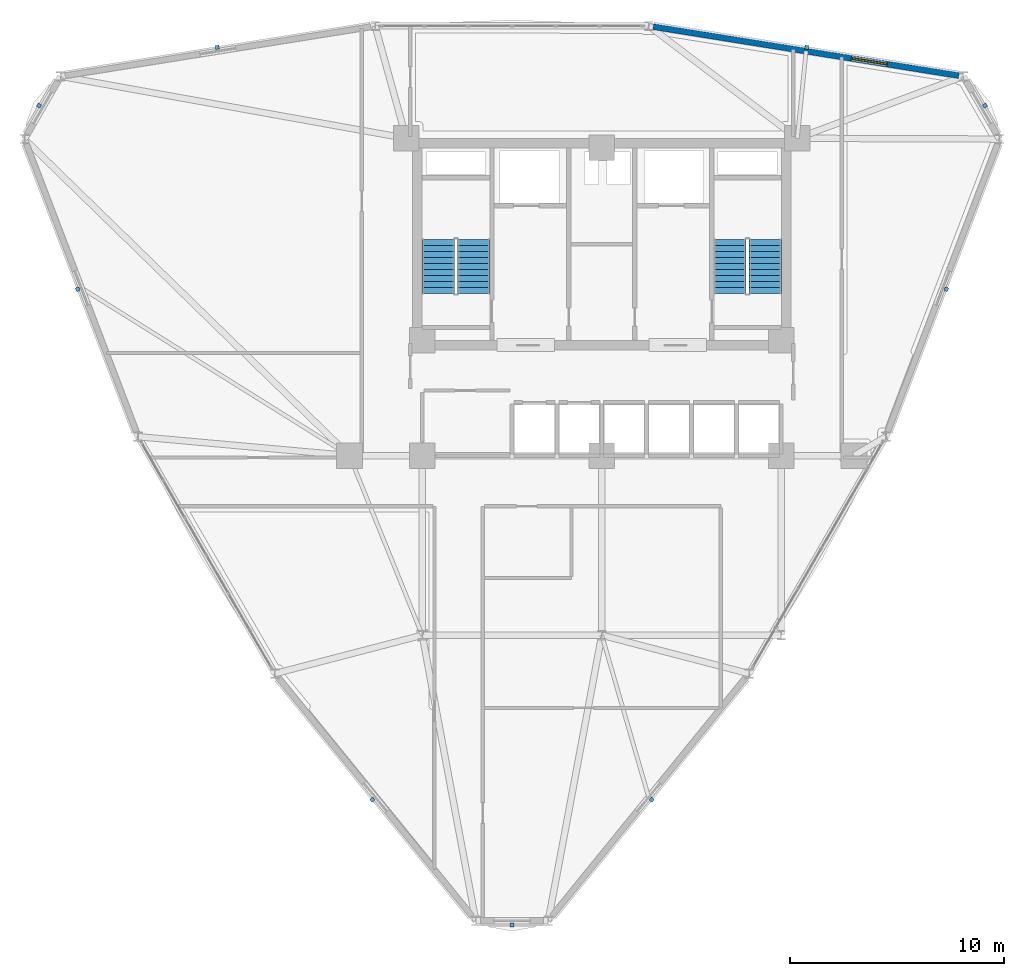
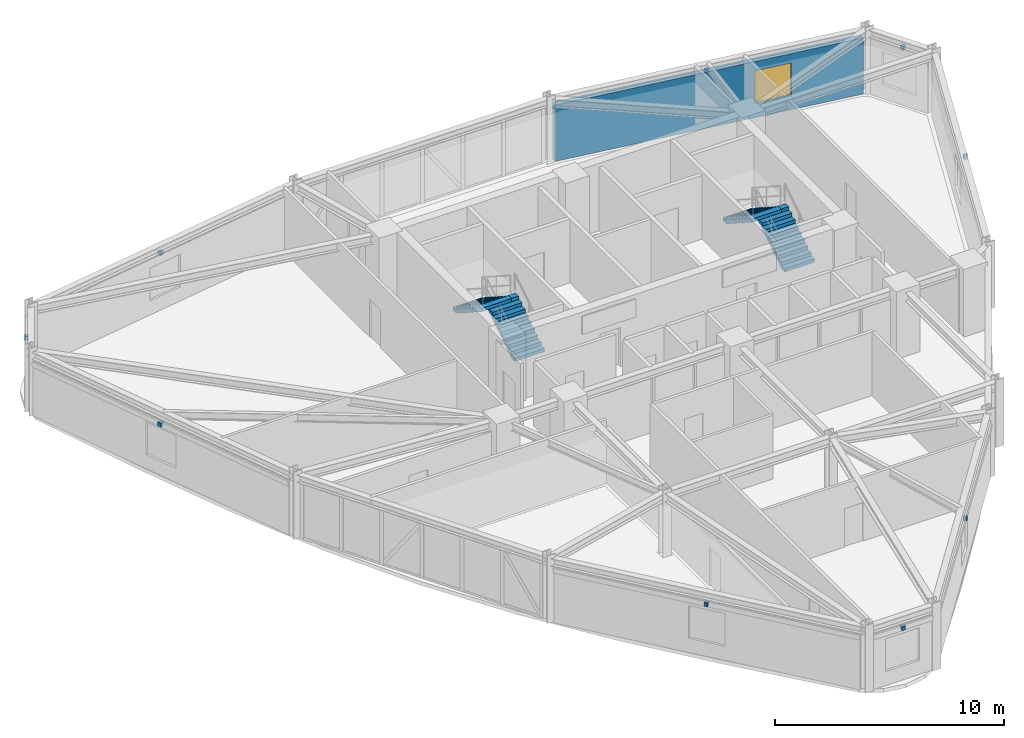
# One storey, part 12 of 15: 9 discrete accessories, 4 stair flights, 1 wall, 1 window, 1 opening, 2 elements without a shape of their own.
"""IFC4 building model written with IfcOpenShell, lengths in metres."""

import ifcopenshell
import ifcopenshell.guid

model = None  # the IFC model being written
_history = None  # IfcOwnerHistory: only IFC2X3 demands one
_inside = {}  # id of a spatial element -> (the spatial element, [elements in it])
_under = {}  # id of a project, library or spatial element -> (it, [spatial elements below it])
_declared = {}  # id of a project -> (the project, [libraries it declares])
_typed = {}  # id of a type object -> (the type object, [elements of that type])
_made_of = {}  # id of a material, layer set ... -> (it, [elements and type objects made of it])


def new_model(schema):
    """Start an empty IFC model of exactly this schema.

    Asked for "IFC4X3", IfcOpenShell would pick the latest addendum, in which some entities
    have other attributes; the version numbers below select the first issue.
    IFC2X3 requires an IfcOwnerHistory on every rooted entity: one is made here for all.
    """
    global model, _history
    if schema == "IFC4X3":
        model = ifcopenshell.file(schema_version=(4, 3, 0, 0))
    else:
        model = ifcopenshell.file(schema=schema)
    _inside.clear()
    _under.clear()
    _declared.clear()
    _typed.clear()
    _made_of.clear()
    _history = None
    if model.schema == "IFC2X3":
        org = make("IfcOrganization", Name="unknown")
        user = make(
            "IfcPersonAndOrganization",
            ThePerson=make("IfcPerson", FamilyName="unknown"),
            TheOrganization=org,
        )
        app = make(
            "IfcApplication",
            ApplicationDeveloper=org,
            Version="unknown",
            ApplicationFullName="unknown",
            ApplicationIdentifier="unknown",
        )
        _history = make(
            "IfcOwnerHistory",
            OwningUser=user,
            OwningApplication=app,
            ChangeAction="ADDED",
            CreationDate=0,
        )
    return model


def make(cls, **values):
    """One entity of the class cls with the attributes given. An attribute that is None is left unset."""
    return model.create_entity(
        cls, **{name: value for name, value in values.items() if value is not None}
    )


def rooted(cls, **values):
    """An entity with a GlobalId (a new one), such as an element, a storey or a relation."""
    return make(cls, GlobalId=ifcopenshell.guid.new(), OwnerHistory=_history, **values)


def si_unit(unit_type, name, prefix=None):
    """IfcSIUnit, for example si_unit("LENGTHUNIT", "METRE", prefix="MILLI")."""
    return make("IfcSIUnit", UnitType=unit_type, Prefix=prefix, Name=name)


def derived_unit(unit_type, elements):
    """IfcDerivedUnit: a product of units, each with its exponent."""
    return make(
        "IfcDerivedUnit",
        Elements=[
            make("IfcDerivedUnitElement", Unit=unit, Exponent=power)
            for unit, power in elements
        ],
        UnitType=unit_type,
    )


def assignment(units):
    """IfcUnitAssignment: the units of a project."""
    return None if units is None else make("IfcUnitAssignment", Units=units)


def point(xyz):
    """IfcCartesianPoint."""
    return None if xyz is None else make("IfcCartesianPoint", Coordinates=xyz)


def direction(xyz):
    """IfcDirection."""
    return None if xyz is None else make("IfcDirection", DirectionRatios=xyz)


def frame(location, z_axis=None, x_axis=None):
    """IfcAxis2Placement3D, a coordinate frame: its origin and axes. An axis left out is left unset."""
    return make(
        "IfcAxis2Placement3D",
        Location=point(location),
        Axis=direction(z_axis),
        RefDirection=direction(x_axis),
    )


def frame_2d(location, x_axis=None):
    """IfcAxis2Placement2D, a coordinate frame in the plane: its origin and x axis."""
    return make(
        "IfcAxis2Placement2D", Location=point(location), RefDirection=direction(x_axis)
    )


def origin():
    """The frame at (0, 0, 0) with its axes left unset."""
    return frame((0.0, 0.0, 0.0))


def origin_2d():
    """The frame at (0, 0) in the plane with its x axis left unset."""
    return frame_2d((0.0, 0.0))


def place(relative_to, where):
    """IfcLocalPlacement: puts the frame where relative to a parent placement (None: the world)."""
    return make(
        "IfcLocalPlacement", PlacementRelTo=relative_to, RelativePlacement=where
    )


def context(
    kind, dimensions, precision=None, world=None, true_north=None, identifier=None
):
    """IfcGeometricRepresentationContext, for example the 3D "Model" context."""
    return make(
        "IfcGeometricRepresentationContext",
        ContextIdentifier=identifier,
        ContextType=kind,
        CoordinateSpaceDimension=dimensions,
        Precision=precision,
        WorldCoordinateSystem=world,
        TrueNorth=true_north,
    )


def subcontext(parent, identifier, kind, view, scale=None):
    """IfcGeometricRepresentationSubContext, for example "Body" below "Model"."""
    return make(
        "IfcGeometricRepresentationSubContext",
        ContextIdentifier=identifier,
        ContextType=kind,
        ParentContext=parent,
        TargetScale=scale,
        TargetView=view,
    )


def project(units=None, contexts=None):
    """IfcProject with its units and contexts."""
    return rooted(
        "IfcProject",
        Name="project",
        RepresentationContexts=contexts,
        UnitsInContext=assignment(units),
    )


def spatial(cls, under=None, at=None, **own):
    """A site, building, storey or space (cls), placed at a placement, below another one or the project."""
    s = rooted(cls, ObjectPlacement=at, **own)
    if under is not None:
        _under.setdefault(under.id(), (under, []))[1].append(s)
    return s


def polyline(points):
    """IfcPolyline through the points."""
    return make("IfcPolyline", Points=[point(p) for p in points])


def profile(cls, at=None, kind="AREA", **sizes):
    """A parametric profile (cls). Its sizes go by their IFC names, for example OverallWidth=200.0."""
    return make(cls, ProfileType=kind, Position=at, **sizes)


def rectangle(**sizes):
    """IfcRectangleProfileDef."""
    return profile("IfcRectangleProfileDef", **sizes)


def outline(outer, holes=None, kind="AREA"):
    """IfcArbitraryClosedProfileDef: a profile drawn as a closed curve; with holes, ...WithVoids."""
    if holes is None:
        return make("IfcArbitraryClosedProfileDef", ProfileType=kind, OuterCurve=outer)
    return make(
        "IfcArbitraryProfileDefWithVoids",
        ProfileType=kind,
        OuterCurve=outer,
        InnerCurves=holes,
    )


def extrude(swept, where, along, depth):
    """IfcExtrudedAreaSolid: the profile swept, set in the frame where, extruded along a direction by depth."""
    return make(
        "IfcExtrudedAreaSolid",
        SweptArea=swept,
        Position=where,
        ExtrudedDirection=direction(along),
        Depth=depth,
    )


def shape(context_of_items, identifier, shape_type, items):
    """IfcShapeRepresentation: the items that make up one representation, for example the "Body"."""
    return make(
        "IfcShapeRepresentation",
        ContextOfItems=context_of_items,
        RepresentationIdentifier=identifier,
        RepresentationType=shape_type,
        Items=items,
    )


def source(mapping_origin, context_of_items, identifier, shape_type, items):
    """IfcRepresentationMap: a shape defined once, which mapped items show again and again."""
    return make(
        "IfcRepresentationMap",
        MappingOrigin=mapping_origin,
        MappedRepresentation=shape(context_of_items, identifier, shape_type, items),
    )


def transform(
    local_origin,
    x_axis=None,
    y_axis=None,
    z_axis=None,
    scale=None,
    scale2=None,
    scale3=None,
    uniform=True,
):
    """IfcCartesianTransformationOperator3D, or its non-uniform kind. x_axis, y_axis, z_axis: its Axis1, 2, 3."""
    if uniform:
        return make(
            "IfcCartesianTransformationOperator3D",
            Axis1=direction(x_axis),
            Axis2=direction(y_axis),
            LocalOrigin=point(local_origin),
            Scale=scale,
            Axis3=direction(z_axis),
        )
    return make(
        "IfcCartesianTransformationOperator3DnonUniform",
        Axis1=direction(x_axis),
        Axis2=direction(y_axis),
        LocalOrigin=point(local_origin),
        Scale=scale,
        Axis3=direction(z_axis),
        Scale2=scale2,
        Scale3=scale3,
    )


def mapped(mapping_source, mapping_target):
    """IfcMappedItem: shows the shape of a source again, moved by a transform."""
    return make(
        "IfcMappedItem", MappingSource=mapping_source, MappingTarget=mapping_target
    )


def material(Name=None, Category=None):
    """IfcMaterial."""
    return make("IfcMaterial", Name=Name, Category=Category)


def layer(
    of_material, thickness, ventilated=None, Name=None, Category=None, Priority=None
):
    """IfcMaterialLayer: one layer of a wall or slab, of a material (None: an air gap)."""
    return make(
        "IfcMaterialLayer",
        Material=of_material,
        LayerThickness=thickness,
        IsVentilated=ventilated,
        Name=Name,
        Category=Category,
        Priority=Priority,
    )


def layer_set(layers, Name=None):
    """IfcMaterialLayerSet."""
    return make("IfcMaterialLayerSet", MaterialLayers=layers, LayerSetName=Name)


def made_of(thing, what):
    """Note that an element or type object is made of a material, layer set ...; save() writes the relation."""
    if what is not None:
        _made_of.setdefault(what.id(), (what, []))[1].append(thing)
    return thing


def type_object(cls, material=None, **own):
    """A type object (cls), such as IfcWallType, which elements share."""
    return made_of(rooted(cls, **own), material)


def element(
    cls,
    number,
    at=None,
    inside=None,
    cuts=None,
    type_object=None,
    material=None,
    context=None,
    identifier="Body",
    shape_type=None,
    held_by="IfcProductDefinitionShape",
    body=None,
    shapes=None,
    **own,
):
    """One element of the class cls, such as IfcWall. Its Tag is "e" and its number.

    at: its placement. inside: the storey or other place that contains it. cuts: it is an
    opening in that element (IfcRelVoidsElement). A single representation is given by context,
    identifier, shape_type and body (its items); several are given by shapes. held_by: the class
    of the entity that holds the representations. save() writes the other relations.
    """
    e = rooted(cls, Tag="e%d" % number, ObjectPlacement=at, **own)
    if body is not None:
        shapes = [shape(context, identifier, shape_type, body)]
    if shapes is not None:
        e.Representation = make(held_by, Representations=shapes)
    if inside is not None:
        _inside.setdefault(inside.id(), (inside, []))[1].append(e)
    if cuts is not None:
        rooted(
            "IfcRelVoidsElement", RelatingBuildingElement=cuts, RelatedOpeningElement=e
        )
    if type_object is not None:
        _typed.setdefault(type_object.id(), (type_object, []))[1].append(e)
    return made_of(e, material)


def fill(opening, filler):
    """IfcRelFillsElement: the door or window that sits in an opening."""
    return rooted(
        "IfcRelFillsElement",
        RelatingOpeningElement=opening,
        RelatedBuildingElement=filler,
    )


def aggregate(whole, parts):
    """IfcRelAggregates: a whole, such as a stair, and the parts it consists of."""
    return rooted("IfcRelAggregates", RelatingObject=whole, RelatedObjects=parts)


def save(model, path):
    """Write the relations noted so far, then the file.

    IfcRelAggregates (storeys below a building ...), IfcRelContainedInSpatialStructure (elements
    in a storey), IfcRelDefinesByType, IfcRelAssociatesMaterial and IfcRelDeclares: one each for
    every whole, place, type object, material and project.
    """
    for whole, parts in _under.values():
        aggregate(whole, parts)
    for where, things in _inside.values():
        rooted(
            "IfcRelContainedInSpatialStructure",
            RelatedElements=things,
            RelatingStructure=where,
        )
    for kind, things in _typed.values():
        rooted("IfcRelDefinesByType", RelatedObjects=things, RelatingType=kind)
    for what, things in _made_of.values():
        rooted("IfcRelAssociatesMaterial", RelatedObjects=things, RelatingMaterial=what)
    for by, libraries in _declared.values():
        rooted("IfcRelDeclares", RelatingContext=by, RelatedDefinitions=libraries)
    model.write(path)


model = new_model("IFC4")

# Units and contexts
model_context = context("Model", 3, precision=1e-05, world=origin(), true_north=direction((0.0, 1.0)))
body_context = subcontext(model_context, "Body", "Model", "MODEL_VIEW")
ifc_project = project(units=[si_unit("LENGTHUNIT", "METRE"), si_unit("AREAUNIT", "SQUARE_METRE"), si_unit("VOLUMEUNIT", "CUBIC_METRE"), si_unit("PLANEANGLEUNIT", "RADIAN"), si_unit("MASSUNIT", "GRAM", prefix="KILO"), derived_unit("THERMALTRANSMITTANCEUNIT", [(si_unit("POWERUNIT", "WATT"), 1), (si_unit("LENGTHUNIT", "METRE"), -2), (si_unit("THERMODYNAMICTEMPERATUREUNIT", "KELVIN"), -1)])], contexts=[model_context])

# Site, building, storey
site_placement = place(None, origin())
site = spatial("IfcSite", under=ifc_project, at=site_placement, CompositionType="ELEMENT")
building_placement = place(site_placement, origin())
building = spatial("IfcBuilding", under=site, at=building_placement, Name="Korsvarv Bourse and Concert Hall", CompositionType="ELEMENT")
storey_placement = place(building_placement, frame((0.0, 0.0, 157.800048828125)))
storey = spatial("IfcBuildingStorey", under=building, at=storey_placement, Name="L40", CompositionType="ELEMENT", Elevation=157.800048828125)

# Wall, opening, window
ifc_material_1 = material(Name="Precast concrete C45/55 with fluted terracotta pier", Category="concrete")
ifc_layer = layer(ifc_material_1, 0.280029296875)
ifc_layer_set = layer_set([ifc_layer], Name="Precast concrete C45/55 with fluted terracotta pier")
wall_type = type_object("IfcWallType", Name="WL-EXT-TC2", PredefinedType="SOLIDWALL", material=ifc_layer_set)
wall_placement = place(storey_placement, frame((52.70751953125, 50.184814453125, 0.0), z_axis=(0.0, 0.0, 1.0), x_axis=(-0.98742305143, 0.158100339991, 0.0)))
wall = element("IfcWall", 1, at=wall_placement, inside=storey, type_object=wall_type, Name="L40 terracotta exterior wall EW-L40-B02", PredefinedType="SOLIDWALL", context=body_context, shape_type="SweptSolid", body=[
    extrude(rectangle(XDim=14.47705078125, YDim=0.280029296875, at=frame_2d((7.238525390625, 0.0))), origin(), (0.0, 0.0, 1.0), 3.0),
])
opening_placement = place(wall_placement, frame((3.394287109375, 0.0, 0.75)))
opening = element("IfcOpeningElement", 2, at=opening_placement, cuts=wall, Name="Opening W-01", PredefinedType="OPENING", context=body_context, shape_type="SweptSolid", body=[
    extrude(rectangle(XDim=1.699951171875, YDim=1.75, at=frame_2d((0.85009765625, 0.875))), frame((0.0, 0.14990234375, 0.0), z_axis=(0.0, -1.0, 0.0), x_axis=(1.0, 0.0, 0.0)), (0.0, 0.0, 1.0), 0.300048828125),
])
ifc_material_2 = material(Name="Thermally broken aluminium frame with triple low-E glass", Category="glass")
window_type = type_object("IfcWindowType", Name="WIN-TW1", PartitioningType="SINGLE_PANEL", PredefinedType="WINDOW", material=ifc_material_2)
window_placement = place(opening_placement, origin())
window = element("IfcWindow", 3, at=window_placement, inside=storey, type_object=window_type, Name="L40 punched facade window W-01", OverallHeight=1.75, OverallWidth=1.699951171875, PartitioningType="SINGLE_PANEL", PredefinedType="WINDOW", context=body_context, shape_type="SweptSolid", body=[
    extrude(rectangle(XDim=1.699951171875, YDim=1.75, at=frame_2d((0.85009765625, 0.875))), frame((0.0, 0.030029296875, 0.0), z_axis=(0.0, -1.0, 0.0), x_axis=(1.0, 0.0, 0.0)), (0.0, 0.0, 1.0), 0.06005859375),
])
fill(opening, window)

# Stair, stair flights
ifc_material_3 = material(Name="Precast concrete C45/55", Category="concrete")
stair_type = type_object("IfcStairType", Name="STR-TYPE-04", PredefinedType="HALF_TURN_STAIR", material=ifc_material_3)
stair_1_placement = place(storey_placement, origin())
stair_1 = element("IfcStair", 4, at=stair_1_placement, inside=storey, type_object=stair_type, Name="L40 Tower West Exit Stair ST-T1", PredefinedType="HALF_TURN_STAIR")
stair_flight_type = type_object("IfcStairFlightType", Name="FLT-TYPE-04", PredefinedType="STRAIGHT", material=ifc_material_3)
stair_flight_1_placement = place(storey_placement, frame((30.010009765625, 40.0, 0.0), z_axis=(0.0, 0.0, 1.0), x_axis=(0.0, 1.0, 0.0)))
stair_flight_1 = element("IfcStairFlight", 5, at=stair_flight_1_placement, type_object=stair_flight_type, Name="ST-T1 flight 1", NumberOfRisers=10, NumberOfTreads=9, PredefinedType="STRAIGHT", RiserHeight=0.18, TreadLength=0.28, context=body_context, shape_type="SweptSolid", body=[
    extrude(outline(polyline([(0.0, 0.0), (0.0, 0.179931640625), (0.280029296875, 0.179931640625), (0.280029296875, 0.360107421875), (0.56005859375, 0.360107421875), (0.56005859375, 0.5400390625), (0.840087890625, 0.5400390625), (0.840087890625, 0.719970703125), (1.1201171875, 0.719970703125), (1.1201171875, 0.89990234375), (1.39990234375, 0.89990234375), (1.39990234375, 1.080078125), (1.679931640625, 1.080078125), (1.679931640625, 1.260009765625), (1.9599609375, 1.260009765625), (1.9599609375, 1.43994140625), (2.239990234375, 1.43994140625), (2.239990234375, 1.6201171875), (2.52001953125, 1.6201171875), (2.52001953125, 1.800048828125), (2.52001953125, 1.44189453125), (0.277099609375, 0.0), (0.0, 0.0)])), frame((0.0, 0.75, 0.0), z_axis=(0.0, -1.0, 0.0), x_axis=(1.0, 0.0, 0.0)), (0.0, 0.0, 1.0), 1.5),
])
stair_flight_2_placement = place(storey_placement, frame((28.35009765625, 42.52001953125, 1.800048828125), z_axis=(0.0, 0.0, 1.0), x_axis=(0.0, -1.0, 0.0)))
stair_flight_2 = element("IfcStairFlight", 6, at=stair_flight_2_placement, type_object=stair_flight_type, Name="ST-T1 flight 2", NumberOfRisers=10, NumberOfTreads=9, PredefinedType="STRAIGHT", RiserHeight=0.18, TreadLength=0.28, context=body_context, shape_type="SweptSolid", body=[
    extrude(outline(polyline([(0.0, 0.0), (0.0, 0.179931640625), (0.280029296875, 0.179931640625), (0.280029296875, 0.360107421875), (0.56005859375, 0.360107421875), (0.56005859375, 0.5400390625), (0.840087890625, 0.5400390625), (0.840087890625, 0.719970703125), (1.1201171875, 0.719970703125), (1.1201171875, 0.89990234375), (1.39990234375, 0.89990234375), (1.39990234375, 1.080078125), (1.679931640625, 1.080078125), (1.679931640625, 1.260009765625), (1.9599609375, 1.260009765625), (1.9599609375, 1.43994140625), (2.239990234375, 1.43994140625), (2.239990234375, 1.6201171875), (2.52001953125, 1.6201171875), (2.52001953125, 1.800048828125), (2.52001953125, 1.44189453125), (0.277099609375, 0.0), (0.0, 0.0)])), frame((0.0, 0.75, 0.0), z_axis=(0.0, -1.0, 0.0), x_axis=(1.0, 0.0, 0.0)), (0.0, 0.0, 1.0), 1.5),
])
aggregate(stair_1, [stair_flight_1, stair_flight_2])

stair_2_placement = place(storey_placement, origin())
stair_2 = element("IfcStair", 7, at=stair_2_placement, inside=storey, type_object=stair_type, Name="L40 Tower East Exit Stair ST-T2", PredefinedType="HALF_TURN_STAIR")
stair_flight_3_placement = place(storey_placement, frame((43.64990234375, 40.0, 0.0), z_axis=(0.0, 0.0, 1.0), x_axis=(0.0, 1.0, 0.0)))
stair_flight_3 = element("IfcStairFlight", 8, at=stair_flight_3_placement, type_object=stair_flight_type, Name="ST-T2 flight 1", NumberOfRisers=10, NumberOfTreads=9, PredefinedType="STRAIGHT", RiserHeight=0.18, TreadLength=0.28, context=body_context, shape_type="SweptSolid", body=[
    extrude(outline(polyline([(0.0, 0.0), (0.0, 0.179931640625), (0.280029296875, 0.179931640625), (0.280029296875, 0.360107421875), (0.56005859375, 0.360107421875), (0.56005859375, 0.5400390625), (0.840087890625, 0.5400390625), (0.840087890625, 0.719970703125), (1.1201171875, 0.719970703125), (1.1201171875, 0.89990234375), (1.39990234375, 0.89990234375), (1.39990234375, 1.080078125), (1.679931640625, 1.080078125), (1.679931640625, 1.260009765625), (1.9599609375, 1.260009765625), (1.9599609375, 1.43994140625), (2.239990234375, 1.43994140625), (2.239990234375, 1.6201171875), (2.52001953125, 1.6201171875), (2.52001953125, 1.800048828125), (2.52001953125, 1.44189453125), (0.277099609375, 0.0), (0.0, 0.0)])), frame((0.0, 0.75, 0.0), z_axis=(0.0, -1.0, 0.0), x_axis=(1.0, 0.0, 0.0)), (0.0, 0.0, 1.0), 1.5),
])
stair_flight_4_placement = place(storey_placement, frame((41.989990234375, 42.52001953125, 1.800048828125), z_axis=(0.0, 0.0, 1.0), x_axis=(0.0, -1.0, 0.0)))
stair_flight_4 = element("IfcStairFlight", 9, at=stair_flight_4_placement, type_object=stair_flight_type, Name="ST-T2 flight 2", NumberOfRisers=10, NumberOfTreads=9, PredefinedType="STRAIGHT", RiserHeight=0.18, TreadLength=0.28, context=body_context, shape_type="SweptSolid", body=[
    extrude(outline(polyline([(0.0, 0.0), (0.0, 0.179931640625), (0.280029296875, 0.179931640625), (0.280029296875, 0.360107421875), (0.56005859375, 0.360107421875), (0.56005859375, 0.5400390625), (0.840087890625, 0.5400390625), (0.840087890625, 0.719970703125), (1.1201171875, 0.719970703125), (1.1201171875, 0.89990234375), (1.39990234375, 0.89990234375), (1.39990234375, 1.080078125), (1.679931640625, 1.080078125), (1.679931640625, 1.260009765625), (1.9599609375, 1.260009765625), (1.9599609375, 1.43994140625), (2.239990234375, 1.43994140625), (2.239990234375, 1.6201171875), (2.52001953125, 1.6201171875), (2.52001953125, 1.800048828125), (2.52001953125, 1.44189453125), (0.277099609375, 0.0), (0.0, 0.0)])), frame((0.0, 0.75, 0.0), z_axis=(0.0, -1.0, 0.0), x_axis=(1.0, 0.0, 0.0)), (0.0, 0.0, 1.0), 1.5),
])
aggregate(stair_2, [stair_flight_3, stair_flight_4])

# Discrete accessories
ifc_material_4 = material(Name="Stainless Steel S355 facade outrigger bracket", Category="steel")
discrete_accessory_type = type_object("IfcDiscreteAccessoryType", Name="ACC-BRK-1", PredefinedType="BRACKET", material=ifc_material_4)
shared_shape = source(origin(), body_context, "Body", "SweptSolid", [
    extrude(rectangle(XDim=0.179931640625, YDim=0.179931640625, at=origin_2d()), origin(), (0.0, 0.0, 1.0), 0.199951171875),
])
for number, where, z_axis, x_axis, name in (
    (10, (53.930908203125, 48.77734375, 2.73974609375), (0.0, 0.0, 1.0), (-0.5, 0.866025403784, 0.0), "L40 terracotta sunshade bracket EW-L40-B01"),
    (11, (45.58837890625, 51.5068359375, 2.73974609375), (0.0, 0.0, 1.0), (-0.987413806751, 0.158158067254, 0.0), "L40 terracotta sunshade bracket EW-L40-B02"),
    (12, (18.011474609375, 51.5068359375, 2.68994140625), (0.0, 0.0, 1.0), (-0.987413806751, -0.158158067254, 0.0), "L40 terracotta sunshade bracket EW-L40-B04"),
    (13, (9.6689453125, 48.77734375, 2.73974609375), (0.0, 0.0, 1.0), (-0.5, -0.866025403784, 0.0), "L40 terracotta sunshade bracket EW-L40-B05"),
    (14, (11.476318359375, 40.187744140625, 2.68994140625), (0.0, 0.0, 1.0), (0.35673799932, -0.934204474321, 0.0), "L40 terracotta sunshade bracket EW-L40-B06"),
    (15, (25.264892578125, 16.305419921875, 2.73974609375), (0.0, 0.0, 1.0), (0.630675807431, -0.776046407067, 0.0), "L40 terracotta sunshade bracket EW-L40-B08"),
    (16, (31.800048828125, 10.4453125, 2.73974609375), (0.0, 0.0, 1.0), (1.0, 0.0, 0.0), "L40 terracotta sunshade bracket EW-L40-B09"),
    (17, (38.335205078125, 16.305419921875, 2.73974609375), (0.0, 0.0, 1.0), (0.630675807431, 0.776046407067, 0.0), "L40 terracotta sunshade bracket EW-L40-B10"),
    (18, (52.123779296875, 40.187744140625, 2.73974609375), (0.0, 0.0, 1.0), (0.35673799932, 0.934204474321, 0.0), "L40 terracotta sunshade bracket EW-L40-B12"),
):
    element("IfcDiscreteAccessory", number, at=place(storey_placement, frame(where, z_axis=z_axis, x_axis=x_axis)), inside=storey, type_object=discrete_accessory_type, Name=name, PredefinedType="BRACKET", context=body_context, shape_type="MappedRepresentation", body=[
        mapped(shared_shape, transform((0.0, 0.0, 0.0), scale=1.0)),
    ])

save(model, "model.ifc")
